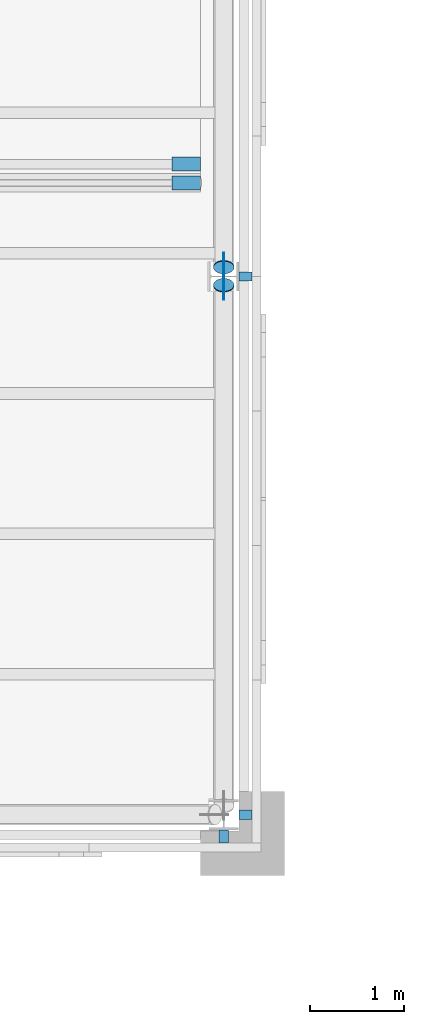
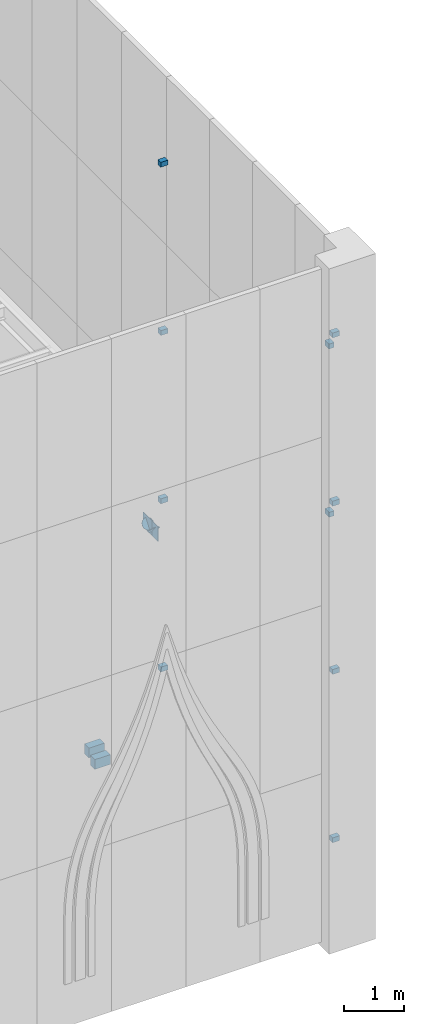
# One storey, part 22 of 43: 16 discrete accessories.
"""IFC4 building model written with IfcOpenShell, lengths in metres."""

from ifc_helpers import new_model, si_unit, direction, frame, origin, origin_2d, place, context, subcontext, project, spatial, rectangle, circle, extrude, material, material_profile, profile_set, type_object, element, save


model = new_model("IFC4")

# Units and contexts
model_context = context("Model", 3, precision=1e-05, world=origin(), true_north=direction((0.0, 1.0)))
body_context = subcontext(model_context, "Body", "Model", "MODEL_VIEW")
ifc_project = project(units=[si_unit("LENGTHUNIT", "METRE"), si_unit("AREAUNIT", "SQUARE_METRE"), si_unit("VOLUMEUNIT", "CUBIC_METRE"), si_unit("PLANEANGLEUNIT", "RADIAN"), si_unit("MASSUNIT", "GRAM", prefix="KILO")], contexts=[model_context])

# Site, building, storey
site_placement = place(None, origin())
site = spatial("IfcSite", under=ifc_project, at=site_placement, CompositionType="ELEMENT")
building_placement = place(site_placement, origin())
building = spatial("IfcBuilding", under=site, at=building_placement, Name="Saffron Lane Theatres", CompositionType="ELEMENT")
storey_placement = place(building_placement, frame((0.0, 0.0, 23.0)))
storey = spatial("IfcBuildingStorey", under=building, at=storey_placement, Name="Roof", CompositionType="ELEMENT", Elevation=23.0)

# Discrete accessories
ifc_material_1 = material(Name="Steel Grade 350", Category="steel")
ifc_material_profile_1 = material_profile(ifc_material_1, rectangle(XDim=0.300048828125, YDim=0.300048828125, at=origin_2d()))
ifc_profile_set_1 = profile_set([ifc_material_profile_1], Name="Steel Grade 350")
discrete_accessory_type_1 = type_object("IfcDiscreteAccessoryType", Name="ST-GUSSET CONNECTION PLATE", PredefinedType="BRACKET", material=ifc_profile_set_1)
for number, where, z_axis, x_axis, name in (
    (1, (47.7451171875, 35.900634765625, 4.766357421875), (1.0, 0.0, 0.0), (0.0, 1.0, 0.0), "GB154"),
    (2, (47.7451171875, 36.10546875, 4.764892578125), (1.0, 0.0, 0.0), (0.0, 1.0, 0.0), "GB158"),
):
    element("IfcDiscreteAccessory", number, at=place(storey_placement, frame(where, z_axis=z_axis, x_axis=x_axis)), inside=storey, type_object=discrete_accessory_type_1, Name=name, PredefinedType="BRACKET", context=body_context, shape_type="SweptSolid", body=[
        extrude(rectangle(XDim=0.300048828125, YDim=0.300048828125, at=origin_2d()), origin(), (0.0, 0.0, 1.0), 0.009765625),
    ])
ifc_material_2 = material(Name="Steel Grade 350", Category="steel")
ifc_material_profile_2 = material_profile(ifc_material_2, circle(Radius=0.109619140625, at=origin_2d()))
ifc_profile_set_2 = profile_set([ifc_material_profile_2], Name="Steel Grade 350")
discrete_accessory_type_2 = type_object("IfcDiscreteAccessoryType", Name="ST-STEEL END CAP 219.1x8.2 CHS", PredefinedType="ANCHORPLATE", material=ifc_profile_set_2)
discrete_accessory_1_placement = place(storey_placement, frame((47.75, 35.900634765625, 4.766357421875), z_axis=(0.0, 0.774865020772, 0.632126727472), x_axis=(-1.0, 0.0, 0.0)))
element("IfcDiscreteAccessory", 3, at=discrete_accessory_1_placement, inside=storey, type_object=discrete_accessory_type_2, Name="EC100", PredefinedType="ANCHORPLATE", context=body_context, shape_type="SweptSolid", body=[
    extrude(circle(Radius=0.109619140625, at=origin_2d()), origin(), (0.0, 0.0, 1.0), 0.011962890625),
])
discrete_accessory_2_placement = place(storey_placement, frame((47.75, 36.10546875, 4.764892578125), z_axis=(0.0, -0.782823254756, 0.622244125575), x_axis=(1.0, 0.0, 0.0)))
element("IfcDiscreteAccessory", 4, at=discrete_accessory_2_placement, inside=storey, type_object=discrete_accessory_type_2, Name="EC104", PredefinedType="ANCHORPLATE", context=body_context, shape_type="SweptSolid", body=[
    extrude(circle(Radius=0.109619140625, at=origin_2d()), origin(), (0.0, 0.0, 1.0), 0.01220703125),
])
for number, where, z_axis, x_axis, name in (
    (5, (47.35009765625, 37.0, -0.5615234375), (0.0, 0.0, 1.0), (1.0, 0.0, 0.0), "FKE23-1"),
    (6, (47.35009765625, 37.199951171875, -0.44775390625), (0.0, 0.0, 1.0), (1.0, 0.0, 0.0), "FKE23-2"),
):
    element("IfcDiscreteAccessory", number, at=place(storey_placement, frame(where, z_axis=z_axis, x_axis=x_axis)), inside=storey, Name=name, PredefinedType="BRACKET", context=body_context, shape_type="SweptSolid", body=[
        extrude(rectangle(XDim=0.300048828125, YDim=0.14990234375, at=origin_2d()), origin(), (0.0, 0.0, 1.0), 0.199951171875),
    ])
for number, where, z_axis, x_axis, name in (
    (7, (47.75, 30.018310546875, 8.643798828125), (0.0, 0.0, 1.0), (1.0, 0.0, 0.0), "Tower panel bracket 23"),
    (8, (47.75, 30.018310546875, 12.081298828125), (0.0, 0.0, 1.0), (1.0, 0.0, 0.0), "Tower panel bracket 24"),
    (9, (47.981689453125, 30.25, 1.768798828125), (0.0, 0.0, 1.0), (0.0, 1.0, 0.0), "Tower panel bracket 69"),
    (10, (47.981689453125, 30.25, 5.206298828125), (0.0, 0.0, 1.0), (0.0, 1.0, 0.0), "Tower panel bracket 70"),
    (11, (47.981689453125, 30.25, 8.643798828125), (0.0, 0.0, 1.0), (0.0, 1.0, 0.0), "Tower panel bracket 71"),
    (12, (47.981689453125, 30.25, 12.081298828125), (0.0, 0.0, 1.0), (0.0, 1.0, 0.0), "Tower panel bracket 72"),
    (13, (47.981689453125, 36.0, 1.768798828125), (0.0, 0.0, 1.0), (0.0, 1.0, 0.0), "Tower panel bracket 73"),
    (14, (47.981689453125, 36.0, 5.206298828125), (0.0, 0.0, 1.0), (0.0, 1.0, 0.0), "Tower panel bracket 74"),
    (15, (47.981689453125, 36.0, 8.643798828125), (0.0, 0.0, 1.0), (0.0, 1.0, 0.0), "Tower panel bracket 75"),
    (16, (47.981689453125, 36.0, 12.081298828125), (0.0, 0.0, 1.0), (0.0, 1.0, 0.0), "Tower panel bracket 76"),
):
    element("IfcDiscreteAccessory", number, at=place(storey_placement, frame(where, z_axis=z_axis, x_axis=x_axis)), inside=storey, Name=name, PredefinedType="BRACKET", context=body_context, shape_type="SweptSolid", body=[
        extrude(rectangle(XDim=0.10009765625, YDim=0.136474609375, at=origin_2d()), origin(), (0.0, 0.0, 1.0), 0.10009765625),
    ])

save(model, "model.ifc")
